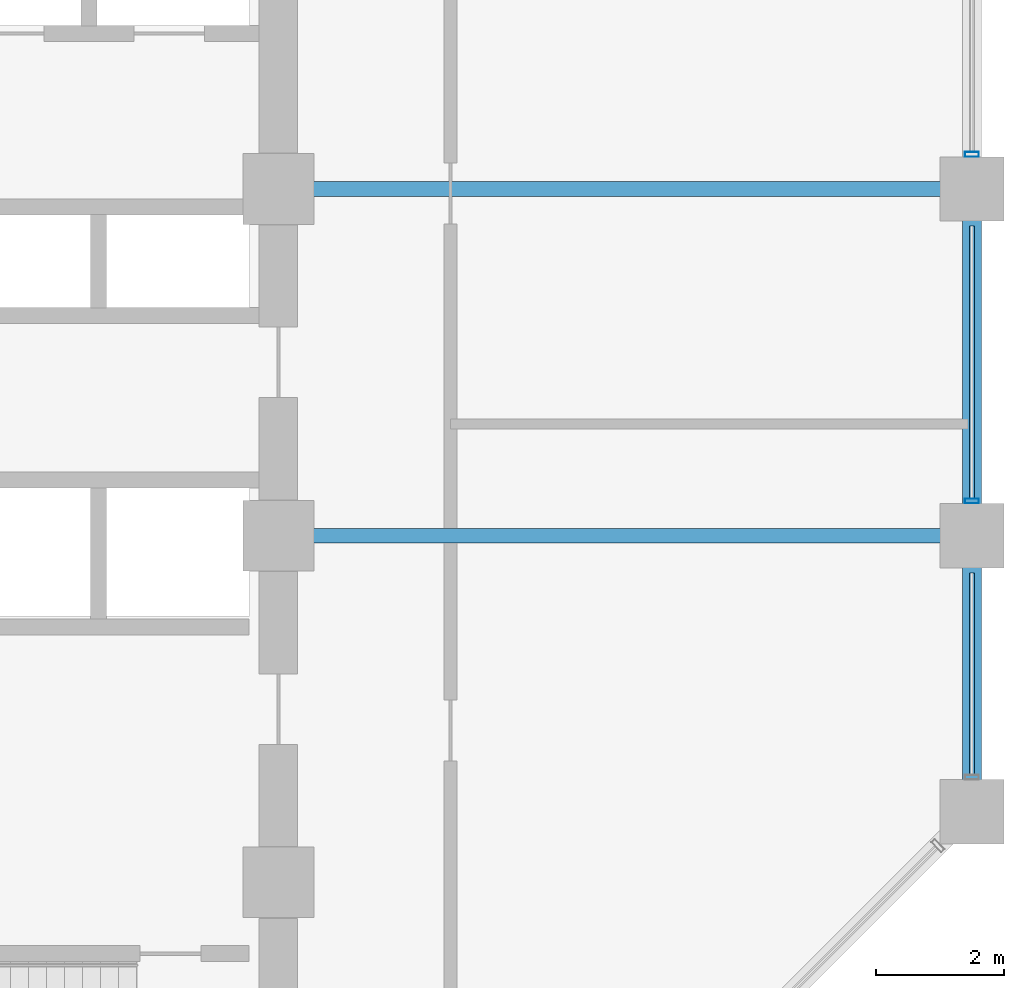
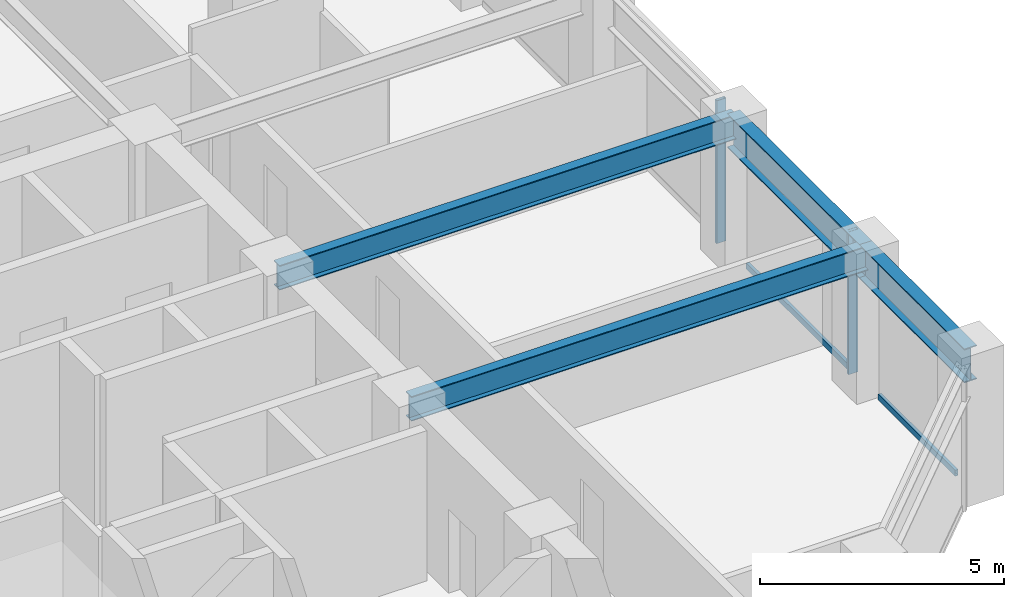
# One storey, part 9 of 23: 4 beams, 4 members, 1 element without a shape of its own.
"""IFC4 building model written with IfcOpenShell, lengths in metres."""

from ifc_helpers import new_model, si_unit, direction, frame, origin, origin_2d, place, context, subcontext, project, spatial, hollow_rectangle, i_section, extrude, material, layer, layer_set, material_profile, profile_set, type_object, element, aggregate, save


model = new_model("IFC4")

# Units and contexts
model_context = context("Model", 3, precision=1e-05, world=origin(), true_north=direction((0.0, 1.0)))
body_context = subcontext(model_context, "Body", "Model", "MODEL_VIEW")
ifc_project = project(units=[si_unit("LENGTHUNIT", "METRE"), si_unit("AREAUNIT", "SQUARE_METRE"), si_unit("VOLUMEUNIT", "CUBIC_METRE"), si_unit("PLANEANGLEUNIT", "RADIAN"), si_unit("MASSUNIT", "GRAM", prefix="KILO")], contexts=[model_context])

# Site, building, storey
site_placement = place(None, origin())
site = spatial("IfcSite", under=ifc_project, at=site_placement, CompositionType="ELEMENT")
building_placement = place(site_placement, origin())
building = spatial("IfcBuilding", under=site, at=building_placement, Name="Surkhivell Harbour Commons", CompositionType="ELEMENT")
storey_placement = place(building_placement, frame((0.0, 0.0, 135.75)))
storey = spatial("IfcBuildingStorey", under=building, at=storey_placement, Name="L35", CompositionType="ELEMENT", Elevation=135.75)

# Beams
ifc_material_1 = material(Name="Steel S355", Category="steel")
ifc_material_profile_1 = material_profile(ifc_material_1, i_section(OverallWidth=0.22998046875, OverallDepth=0.616943359375, WebThickness=0.01318359375, FlangeThickness=0.022216796875, at=origin_2d()), Name="UB610x229x140")
ifc_profile_set_1 = profile_set([ifc_material_profile_1], Name="Steel S355")
beam_type_1 = type_object("IfcBeamType", Name="BM-GRD-610B", PredefinedType="BEAM", material=ifc_profile_set_1)
for number, where, z_axis, x_axis, name in (
    (1, (10.800048828125, 0.0, 3.261474609375), (1.0, 0.0, 0.0), (0.0, 1.0, 0.0), "L35 Floor Girder (10.8,0.0)"),
    (2, (10.800048828125, 5.39990234375, 3.261474609375), (1.0, 0.0, 0.0), (0.0, 1.0, 0.0), "L35 Floor Girder (10.8,5.4)"),
):
    element("IfcBeam", number, at=place(storey_placement, frame(where, z_axis=z_axis, x_axis=x_axis)), inside=storey, type_object=beam_type_1, Name=name, PredefinedType="BEAM", context=body_context, shape_type="SweptSolid", body=[
        extrude(i_section(OverallWidth=0.22998046875, OverallDepth=0.616943359375, WebThickness=0.01318359375, FlangeThickness=0.022216796875, at=origin_2d()), origin(), (0.0, 0.0, 1.0), 10.800048828125),
    ])
ifc_material_2 = material(Name="Steel S460", Category="steel")
ifc_material_profile_2 = material_profile(ifc_material_2, i_section(OverallWidth=0.2939453125, OverallDepth=0.85107421875, WebThickness=0.01611328125, FlangeThickness=0.02685546875, at=origin_2d()), Name="UB838x292x226")
ifc_profile_set_2 = profile_set([ifc_material_profile_2], Name="Steel S460")
beam_type_2 = type_object("IfcBeamType", Name="BM-SPN-838", PredefinedType="SPANDREL", material=ifc_profile_set_2)
beam_1_placement = place(storey_placement, frame((21.60009765625, -4.300048828125, 3.14453125), z_axis=(0.0, 1.0, 0.0), x_axis=(-1.0, 0.0, 0.0)))
element("IfcBeam", 3, at=beam_1_placement, inside=storey, type_object=beam_type_2, Name="L35 Tube Spandrel (21.6,-4.3)", PredefinedType="SPANDREL", context=body_context, shape_type="SweptSolid", body=[
    extrude(i_section(OverallWidth=0.2939453125, OverallDepth=0.85107421875, WebThickness=0.01611328125, FlangeThickness=0.02685546875, at=origin_2d()), origin(), (0.0, 0.0, 1.0), 4.300048828125),
])
beam_2_placement = place(storey_placement, frame((21.60009765625, 0.0, 3.14453125), z_axis=(0.0, 1.0, 0.0), x_axis=(-1.0, 0.0, 0.0)))
element("IfcBeam", 4, at=beam_2_placement, inside=storey, type_object=beam_type_2, Name="L35 Tube Spandrel (21.6,0.0)", PredefinedType="SPANDREL", context=body_context, shape_type="SweptSolid", body=[
    extrude(i_section(OverallWidth=0.2939453125, OverallDepth=0.85107421875, WebThickness=0.01611328125, FlangeThickness=0.02685546875, at=origin_2d()), origin(), (0.0, 0.0, 1.0), 5.39990234375),
])

# Curtain wall, members
ifc_material_3 = material(Name="Anodised pale-metal aluminium and insulated glazing", Category="aluminium")
ifc_layer = layer(ifc_material_3, 0.205078125)
ifc_layer_set = layer_set([ifc_layer], Name="Anodised pale-metal aluminium and insulated glazing")
curtain_wall_type = type_object("IfcCurtainWallType", Name="CW-SYS-Z2", PredefinedType="NOTDEFINED", material=ifc_layer_set)
curtain_wall_placement = place(storey_placement, origin())
curtain_wall = element("IfcCurtainWall", 5, at=curtain_wall_placement, inside=storey, type_object=curtain_wall_type, Name="L35 Curtain Wall CW-L35-E02", PredefinedType="NOTDEFINED")
ifc_material_4 = material(Name="Anodised pale-metal aluminium alloy 6063-T6", Category="aluminium")
ifc_material_profile_3 = material_profile(ifc_material_4, hollow_rectangle(XDim=0.074951171875, YDim=0.219970703125, WallThickness=0.00390625, at=origin_2d()), Name="ALU-MULL-75x220")
ifc_profile_set_3 = profile_set([ifc_material_profile_3], Name="Anodised pale-metal aluminium alloy 6063-T6")
member_type_1 = type_object("IfcMemberType", Name="CWM-220", PredefinedType="MULLION", material=ifc_profile_set_3)
member_1_placement = place(storey_placement, frame((21.60009765625, 0.53955078125, 0.0), z_axis=(0.0, 0.0, 1.0), x_axis=(0.0, 1.0, 0.0)))
member_1 = element("IfcMember", 6, at=member_1_placement, type_object=member_type_1, Name="CW-Z2 mullion 2", PredefinedType="MULLION", context=body_context, shape_type="SweptSolid", body=[
    extrude(hollow_rectangle(XDim=0.074951171875, YDim=0.219970703125, WallThickness=0.00390625, at=origin_2d()), origin(), (0.0, 0.0, 1.0), 3.570068359375),
])
member_2_placement = place(storey_placement, frame((21.60009765625, 5.939453125, 0.0), z_axis=(0.0, 0.0, 1.0), x_axis=(0.0, 1.0, 0.0)))
member_2 = element("IfcMember", 7, at=member_2_placement, type_object=member_type_1, Name="CW-Z2 mullion 3", PredefinedType="MULLION", context=body_context, shape_type="SweptSolid", body=[
    extrude(hollow_rectangle(XDim=0.074951171875, YDim=0.219970703125, WallThickness=0.00390625, at=origin_2d()), origin(), (0.0, 0.0, 1.0), 3.570068359375),
])
ifc_material_profile_4 = material_profile(ifc_material_4, hollow_rectangle(XDim=0.074951171875, YDim=0.14990234375, WallThickness=0.00341796875, at=origin_2d()), Name="ALU-TRAN-75x150")
ifc_profile_set_4 = profile_set([ifc_material_profile_4], Name="Anodised pale-metal aluminium alloy 6063-T6")
member_type_2 = type_object("IfcMemberType", Name="CWT-150", PredefinedType="USERDEFINED", material=ifc_profile_set_4)
member_3_placement = place(storey_placement, frame((21.60009765625, -3.722900390625, 0.074951171875), z_axis=(0.0, 1.0, 0.0), x_axis=(-1.0, 0.0, 0.0)))
member_3 = element("IfcMember", 8, at=member_3_placement, type_object=member_type_2, Name="CW-Z2 transom 1.1", ObjectType="TRANSOM", PredefinedType="USERDEFINED", context=body_context, shape_type="SweptSolid", body=[
    extrude(hollow_rectangle(XDim=0.074951171875, YDim=0.14990234375, WallThickness=0.00341796875, at=origin_2d()), origin(), (0.0, 0.0, 1.0), 3.14599609375),
])
member_4_placement = place(storey_placement, frame((21.60009765625, 0.576904296875, 0.074951171875), z_axis=(0.0, 1.0, 0.0), x_axis=(-1.0, 0.0, 0.0)))
member_4 = element("IfcMember", 9, at=member_4_placement, type_object=member_type_2, Name="CW-Z2 transom 2.1", ObjectType="TRANSOM", PredefinedType="USERDEFINED", context=body_context, shape_type="SweptSolid", body=[
    extrude(hollow_rectangle(XDim=0.074951171875, YDim=0.14990234375, WallThickness=0.00341796875, at=origin_2d()), origin(), (0.0, 0.0, 1.0), 4.24609375),
])
aggregate(curtain_wall, [member_3, member_1, member_4, member_2])

save(model, "model.ifc")
